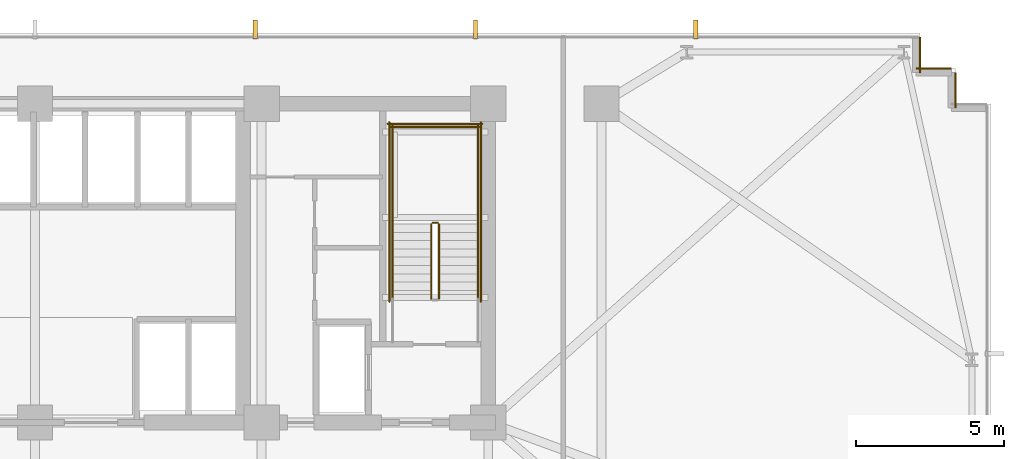
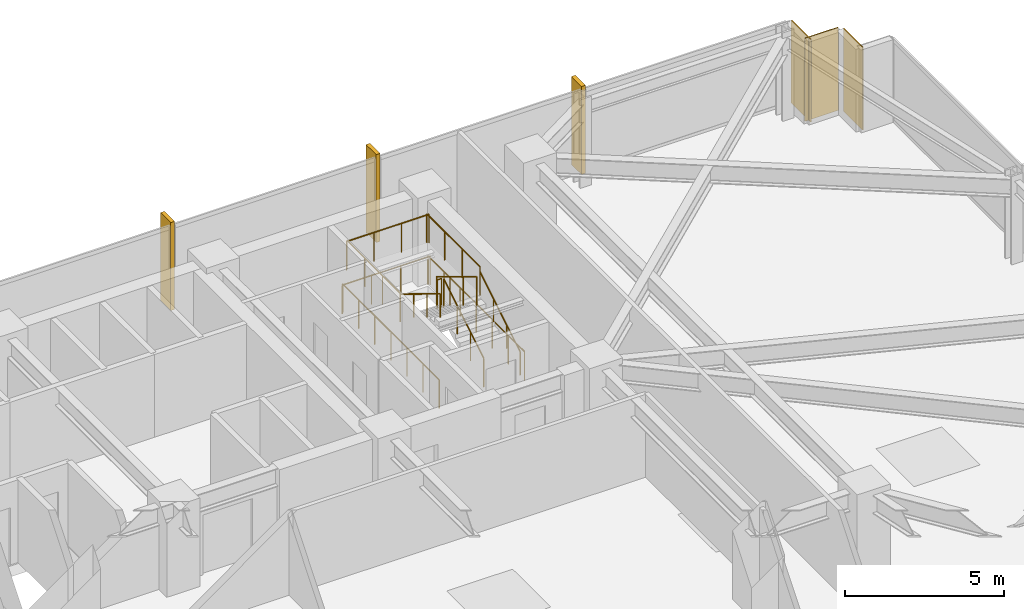
# One storey, part 30 of 31: 11 railings, 3 coverings, 3 shading devices.
"""IFC4 building model written with IfcOpenShell, lengths in metres."""

import ifcopenshell
import ifcopenshell.guid

model = None  # the IFC model being written
_history = None  # IfcOwnerHistory: only IFC2X3 demands one
_inside = {}  # id of a spatial element -> (the spatial element, [elements in it])
_under = {}  # id of a project, library or spatial element -> (it, [spatial elements below it])
_declared = {}  # id of a project -> (the project, [libraries it declares])
_typed = {}  # id of a type object -> (the type object, [elements of that type])
_made_of = {}  # id of a material, layer set ... -> (it, [elements and type objects made of it])


def new_model(schema):
    """Start an empty IFC model of exactly this schema.

    Asked for "IFC4X3", IfcOpenShell would pick the latest addendum, in which some entities
    have other attributes; the version numbers below select the first issue.
    IFC2X3 requires an IfcOwnerHistory on every rooted entity: one is made here for all.
    """
    global model, _history
    if schema == "IFC4X3":
        model = ifcopenshell.file(schema_version=(4, 3, 0, 0))
    else:
        model = ifcopenshell.file(schema=schema)
    _inside.clear()
    _under.clear()
    _declared.clear()
    _typed.clear()
    _made_of.clear()
    _history = None
    if model.schema == "IFC2X3":
        org = make("IfcOrganization", Name="unknown")
        user = make(
            "IfcPersonAndOrganization",
            ThePerson=make("IfcPerson", FamilyName="unknown"),
            TheOrganization=org,
        )
        app = make(
            "IfcApplication",
            ApplicationDeveloper=org,
            Version="unknown",
            ApplicationFullName="unknown",
            ApplicationIdentifier="unknown",
        )
        _history = make(
            "IfcOwnerHistory",
            OwningUser=user,
            OwningApplication=app,
            ChangeAction="ADDED",
            CreationDate=0,
        )
    return model


def make(cls, **values):
    """One entity of the class cls with the attributes given. An attribute that is None is left unset."""
    return model.create_entity(
        cls, **{name: value for name, value in values.items() if value is not None}
    )


def rooted(cls, **values):
    """An entity with a GlobalId (a new one), such as an element, a storey or a relation."""
    return make(cls, GlobalId=ifcopenshell.guid.new(), OwnerHistory=_history, **values)


def si_unit(unit_type, name, prefix=None):
    """IfcSIUnit, for example si_unit("LENGTHUNIT", "METRE", prefix="MILLI")."""
    return make("IfcSIUnit", UnitType=unit_type, Prefix=prefix, Name=name)


def assignment(units):
    """IfcUnitAssignment: the units of a project."""
    return None if units is None else make("IfcUnitAssignment", Units=units)


def point(xyz):
    """IfcCartesianPoint."""
    return None if xyz is None else make("IfcCartesianPoint", Coordinates=xyz)


def direction(xyz):
    """IfcDirection."""
    return None if xyz is None else make("IfcDirection", DirectionRatios=xyz)


def frame(location, z_axis=None, x_axis=None):
    """IfcAxis2Placement3D, a coordinate frame: its origin and axes. An axis left out is left unset."""
    return make(
        "IfcAxis2Placement3D",
        Location=point(location),
        Axis=direction(z_axis),
        RefDirection=direction(x_axis),
    )


def frame_2d(location, x_axis=None):
    """IfcAxis2Placement2D, a coordinate frame in the plane: its origin and x axis."""
    return make(
        "IfcAxis2Placement2D", Location=point(location), RefDirection=direction(x_axis)
    )


def origin():
    """The frame at (0, 0, 0) with its axes left unset."""
    return frame((0.0, 0.0, 0.0))


def origin_2d():
    """The frame at (0, 0) in the plane with its x axis left unset."""
    return frame_2d((0.0, 0.0))


def place(relative_to, where):
    """IfcLocalPlacement: puts the frame where relative to a parent placement (None: the world)."""
    return make(
        "IfcLocalPlacement", PlacementRelTo=relative_to, RelativePlacement=where
    )


def context(
    kind, dimensions, precision=None, world=None, true_north=None, identifier=None
):
    """IfcGeometricRepresentationContext, for example the 3D "Model" context."""
    return make(
        "IfcGeometricRepresentationContext",
        ContextIdentifier=identifier,
        ContextType=kind,
        CoordinateSpaceDimension=dimensions,
        Precision=precision,
        WorldCoordinateSystem=world,
        TrueNorth=true_north,
    )


def subcontext(parent, identifier, kind, view, scale=None):
    """IfcGeometricRepresentationSubContext, for example "Body" below "Model"."""
    return make(
        "IfcGeometricRepresentationSubContext",
        ContextIdentifier=identifier,
        ContextType=kind,
        ParentContext=parent,
        TargetScale=scale,
        TargetView=view,
    )


def project(units=None, contexts=None):
    """IfcProject with its units and contexts."""
    return rooted(
        "IfcProject",
        Name="project",
        RepresentationContexts=contexts,
        UnitsInContext=assignment(units),
    )


def spatial(cls, under=None, at=None, **own):
    """A site, building, storey or space (cls), placed at a placement, below another one or the project."""
    s = rooted(cls, ObjectPlacement=at, **own)
    if under is not None:
        _under.setdefault(under.id(), (under, []))[1].append(s)
    return s


def profile(cls, at=None, kind="AREA", **sizes):
    """A parametric profile (cls). Its sizes go by their IFC names, for example OverallWidth=200.0."""
    return make(cls, ProfileType=kind, Position=at, **sizes)


def rectangle(**sizes):
    """IfcRectangleProfileDef."""
    return profile("IfcRectangleProfileDef", **sizes)


def circle(**sizes):
    """IfcCircleProfileDef."""
    return profile("IfcCircleProfileDef", **sizes)


def extrude(swept, where, along, depth):
    """IfcExtrudedAreaSolid: the profile swept, set in the frame where, extruded along a direction by depth."""
    return make(
        "IfcExtrudedAreaSolid",
        SweptArea=swept,
        Position=where,
        ExtrudedDirection=direction(along),
        Depth=depth,
    )


def shape(context_of_items, identifier, shape_type, items):
    """IfcShapeRepresentation: the items that make up one representation, for example the "Body"."""
    return make(
        "IfcShapeRepresentation",
        ContextOfItems=context_of_items,
        RepresentationIdentifier=identifier,
        RepresentationType=shape_type,
        Items=items,
    )


def material(Name=None, Category=None):
    """IfcMaterial."""
    return make("IfcMaterial", Name=Name, Category=Category)


def layer(
    of_material, thickness, ventilated=None, Name=None, Category=None, Priority=None
):
    """IfcMaterialLayer: one layer of a wall or slab, of a material (None: an air gap)."""
    return make(
        "IfcMaterialLayer",
        Material=of_material,
        LayerThickness=thickness,
        IsVentilated=ventilated,
        Name=Name,
        Category=Category,
        Priority=Priority,
    )


def layer_set(layers, Name=None):
    """IfcMaterialLayerSet."""
    return make("IfcMaterialLayerSet", MaterialLayers=layers, LayerSetName=Name)


def made_of(thing, what):
    """Note that an element or type object is made of a material, layer set ...; save() writes the relation."""
    if what is not None:
        _made_of.setdefault(what.id(), (what, []))[1].append(thing)
    return thing


def type_object(cls, material=None, **own):
    """A type object (cls), such as IfcWallType, which elements share."""
    return made_of(rooted(cls, **own), material)


def element(
    cls,
    number,
    at=None,
    inside=None,
    cuts=None,
    type_object=None,
    material=None,
    context=None,
    identifier="Body",
    shape_type=None,
    held_by="IfcProductDefinitionShape",
    body=None,
    shapes=None,
    **own,
):
    """One element of the class cls, such as IfcWall. Its Tag is "e" and its number.

    at: its placement. inside: the storey or other place that contains it. cuts: it is an
    opening in that element (IfcRelVoidsElement). A single representation is given by context,
    identifier, shape_type and body (its items); several are given by shapes. held_by: the class
    of the entity that holds the representations. save() writes the other relations.
    """
    e = rooted(cls, Tag="e%d" % number, ObjectPlacement=at, **own)
    if body is not None:
        shapes = [shape(context, identifier, shape_type, body)]
    if shapes is not None:
        e.Representation = make(held_by, Representations=shapes)
    if inside is not None:
        _inside.setdefault(inside.id(), (inside, []))[1].append(e)
    if cuts is not None:
        rooted(
            "IfcRelVoidsElement", RelatingBuildingElement=cuts, RelatedOpeningElement=e
        )
    if type_object is not None:
        _typed.setdefault(type_object.id(), (type_object, []))[1].append(e)
    return made_of(e, material)


def aggregate(whole, parts):
    """IfcRelAggregates: a whole, such as a stair, and the parts it consists of."""
    return rooted("IfcRelAggregates", RelatingObject=whole, RelatedObjects=parts)


def save(model, path):
    """Write the relations noted so far, then the file.

    IfcRelAggregates (storeys below a building ...), IfcRelContainedInSpatialStructure (elements
    in a storey), IfcRelDefinesByType, IfcRelAssociatesMaterial and IfcRelDeclares: one each for
    every whole, place, type object, material and project.
    """
    for whole, parts in _under.values():
        aggregate(whole, parts)
    for where, things in _inside.values():
        rooted(
            "IfcRelContainedInSpatialStructure",
            RelatedElements=things,
            RelatingStructure=where,
        )
    for kind, things in _typed.values():
        rooted("IfcRelDefinesByType", RelatedObjects=things, RelatingType=kind)
    for what, things in _made_of.values():
        rooted("IfcRelAssociatesMaterial", RelatedObjects=things, RelatingMaterial=what)
    for by, libraries in _declared.values():
        rooted("IfcRelDeclares", RelatingContext=by, RelatedDefinitions=libraries)
    model.write(path)


model = new_model("IFC4")

# Units and contexts
model_context = context("Model", 3, precision=1e-05, world=origin(), true_north=direction((0.0, 1.0)))
body_context = subcontext(model_context, "Body", "Model", "MODEL_VIEW")
ifc_project = project(units=[si_unit("LENGTHUNIT", "METRE"), si_unit("AREAUNIT", "SQUARE_METRE"), si_unit("VOLUMEUNIT", "CUBIC_METRE"), si_unit("PLANEANGLEUNIT", "RADIAN"), si_unit("MASSUNIT", "GRAM", prefix="KILO")], contexts=[model_context])

# Site, building, storey
site_placement = place(None, origin())
site = spatial("IfcSite", under=ifc_project, at=site_placement, CompositionType="ELEMENT")
building_placement = place(site_placement, origin())
building = spatial("IfcBuilding", under=site, at=building_placement, Name="Yelkora Congress Tower", CompositionType="ELEMENT")
storey_placement = place(building_placement, frame((0.0, 0.0, 30.39990234375)))
storey = spatial("IfcBuildingStorey", under=building, at=storey_placement, Name="L06", CompositionType="ELEMENT", Elevation=30.39990234375)

# Coverings
ifc_material_1 = material(Name="Anatolian bush-hammered limestone", Category="masonry")
ifc_layer_1 = layer(ifc_material_1, 0.0400390625)
ifc_layer_set_1 = layer_set([ifc_layer_1], Name="Anatolian bush-hammered limestone")
covering_type = type_object("IfcCoveringType", Name="COV-CLAD-SPANDREL-40", PredefinedType="CLADDING", material=ifc_layer_set_1)
for number, where, z_axis, x_axis, name in (
    (1, (68.39501953125, 48.4599609375, 0.0), (0.0, 0.0, 1.0), (0.0, -1.0, 0.0), "L06 Anatolian Limestone Cladding EW-L06-SR11"),
    (2, (68.260009765625, 47.39501953125, 0.0), (0.0, 0.0, 1.0), (1.0, 0.0, 0.0), "L06 Anatolian Limestone Cladding EW-L06-SR12"),
    (3, (69.594970703125, 47.260009765625, 0.0), (0.0, 0.0, 1.0), (0.0, -1.0, 0.0), "L06 Anatolian Limestone Cladding EW-L06-SR13"),
):
    element("IfcCovering", number, at=place(storey_placement, frame(where, z_axis=z_axis, x_axis=x_axis)), inside=storey, type_object=covering_type, Name=name, PredefinedType="CLADDING", context=body_context, shape_type="SweptSolid", body=[
        extrude(rectangle(XDim=1.199951171875, YDim=0.0400390625, at=frame_2d((0.60009765625, 0.0))), origin(), (0.0, 0.0, 1.0), 3.18017578125),
    ])

# Railings
ifc_material_2 = material(Name="Painted galvanised steel stair well guard with vertical infill", Category="steel")
ifc_layer_2 = layer(ifc_material_2, 0.06005859375)
ifc_layer_set_2 = layer_set([ifc_layer_2], Name="Painted galvanised steel stair well guard with vertical infill")
railing_type_1 = type_object("IfcRailingType", Name="RAIL-STAIR-GUARD-1120", PredefinedType="GUARDRAIL", material=ifc_layer_set_2)
railing_1_placement = place(storey_placement, frame((52.090087890625, 39.60009765625, 0.170166015625)))
element("IfcRailing", 4, at=railing_1_placement, inside=storey, type_object=railing_type_1, Name="ST-02 L06 Stair Well Guardrail 1", PredefinedType="GUARDRAIL", context=body_context, shape_type="SweptSolid", body=[
    extrude(circle(Radius=0.02392578125, at=origin_2d()), frame((0.0, 0.0, 1.09619140625), z_axis=(0.0, 0.85478489116, 0.518982456201), x_axis=(-1.0, 0.0, 0.0)), (0.0, 0.0, 1.0), 2.9482421875),
    extrude(circle(Radius=0.02099609375, at=origin_2d()), origin(), (0.0, 0.0, 1.0), 1.072021484375),
    extrude(circle(Radius=0.02099609375, at=origin_2d()), frame((0.0, 0.840087890625, 0.510009765625)), (0.0, 0.0, 1.0), 1.072021484375),
    extrude(circle(Radius=0.02099609375, at=origin_2d()), frame((0.0, 1.679931640625, 1.02001953125)), (0.0, 0.0, 1.0), 1.072021484375),
    extrude(circle(Radius=0.02099609375, at=origin_2d()), frame((0.0, 2.52001953125, 1.530029296875)), (0.0, 0.0, 1.0), 1.072021484375),
])
railing_2_placement = place(storey_placement, frame((52.0400390625, 42.169921875, 1.7001953125)))
element("IfcRailing", 5, at=railing_2_placement, inside=storey, type_object=railing_type_1, Name="ST-02 L06 Stair Well Guardrail 2", PredefinedType="GUARDRAIL", context=body_context, shape_type="SweptSolid", body=[
    extrude(circle(Radius=0.02392578125, at=origin_2d()), frame((0.0, 0.0, 1.09619140625), z_axis=(-1.0, 0.0, 0.0), x_axis=(0.0, -1.0, 0.0)), (0.0, 0.0, 1.0), 0.16015625),
    extrude(circle(Radius=0.02099609375, at=origin_2d()), origin(), (0.0, 0.0, 1.0), 1.072021484375),
    extrude(circle(Radius=0.02099609375, at=origin_2d()), frame((-0.16015625, 0.0, 0.0)), (0.0, 0.0, 1.0), 1.072021484375),
])
for number, where, name in (
    (6, (53.409912109375, 42.1201171875, 1.7001953125), "ST-02 L06 Stair Well Guardrail 3"),
    (7, (50.510009765625, 42.1201171875, 1.7001953125), "ST-02 L06 Stair Well Guardrail 4"),
):
    element("IfcRailing", number, at=place(storey_placement, frame(where)), inside=storey, type_object=railing_type_1, Name=name, PredefinedType="GUARDRAIL", context=body_context, shape_type="SweptSolid", body=[
        extrude(circle(Radius=0.02392578125, at=origin_2d()), frame((0.0, 0.0, 1.09619140625), z_axis=(0.0, 1.0, 0.0), x_axis=(-1.0, 0.0, 0.0)), (0.0, 0.0, 1.0), 3.349853515625),
        extrude(circle(Radius=0.02099609375, at=origin_2d()), origin(), (0.0, 0.0, 1.0), 1.072021484375),
        extrude(circle(Radius=0.02099609375, at=origin_2d()), frame((0.0, 1.11669921875, 0.0)), (0.0, 0.0, 1.0), 1.072021484375),
        extrude(circle(Radius=0.02099609375, at=origin_2d()), frame((0.0, 2.233154296875, 0.0)), (0.0, 0.0, 1.0), 1.072021484375),
        extrude(circle(Radius=0.02099609375, at=origin_2d()), frame((0.0, 3.349853515625, 0.0)), (0.0, 0.0, 1.0), 1.072021484375),
    ])
railing_3_placement = place(storey_placement, frame((53.4599609375, 45.419921875, 1.7001953125)))
element("IfcRailing", 8, at=railing_3_placement, inside=storey, type_object=railing_type_1, Name="ST-02 L06 Stair Well Guardrail 5", PredefinedType="GUARDRAIL", context=body_context, shape_type="SweptSolid", body=[
    extrude(circle(Radius=0.02392578125, at=origin_2d()), frame((0.0, 0.0, 1.09619140625), z_axis=(-1.0, 0.0, 0.0), x_axis=(0.0, -1.0, 0.0)), (0.0, 0.0, 1.0), 3.0),
    extrude(circle(Radius=0.02099609375, at=origin_2d()), origin(), (0.0, 0.0, 1.0), 1.072021484375),
    extrude(circle(Radius=0.02099609375, at=origin_2d()), frame((-1.0, 0.0, 0.0)), (0.0, 0.0, 1.0), 1.072021484375),
    extrude(circle(Radius=0.02099609375, at=origin_2d()), frame((-2.0, 0.0, 0.0)), (0.0, 0.0, 1.0), 1.072021484375),
    extrude(circle(Radius=0.02099609375, at=origin_2d()), frame((-3.0, 0.0, 0.0)), (0.0, 0.0, 1.0), 1.072021484375),
])
railing_4_placement = place(storey_placement, frame((51.830078125, 42.1201171875, 1.8701171875)))
element("IfcRailing", 9, at=railing_4_placement, inside=storey, type_object=railing_type_1, Name="ST-02 L06 Stair Well Guardrail 6", PredefinedType="GUARDRAIL", context=body_context, shape_type="SweptSolid", body=[
    extrude(circle(Radius=0.02392578125, at=origin_2d()), frame((0.0, 0.0, 1.09619140625), z_axis=(0.0, -0.85478489116, 0.518982456201), x_axis=(1.0, 0.0, 0.0)), (0.0, 0.0, 1.0), 2.9482421875),
    extrude(circle(Radius=0.02099609375, at=origin_2d()), origin(), (0.0, 0.0, 1.0), 1.072021484375),
    extrude(circle(Radius=0.02099609375, at=origin_2d()), frame((0.0, -0.840087890625, 0.510009765625)), (0.0, 0.0, 1.0), 1.072021484375),
    extrude(circle(Radius=0.02099609375, at=origin_2d()), frame((0.0, -1.679931640625, 1.02001953125)), (0.0, 0.0, 1.0), 1.072021484375),
    extrude(circle(Radius=0.02099609375, at=origin_2d()), frame((0.0, -2.52001953125, 1.530029296875)), (0.0, 0.0, 1.0), 1.072021484375),
])
for number, where, name in (
    (10, (53.510009765625, 39.5, 0.0), "ST-02 L06 Stair Well Guardrail 10"),
    (11, (50.409912109375, 39.5, 0.0), "ST-02 L06 Stair Well Guardrail 11"),
):
    element("IfcRailing", number, at=place(storey_placement, frame(where)), inside=storey, type_object=railing_type_1, Name=name, PredefinedType="GUARDRAIL", context=body_context, shape_type="SweptSolid", body=[
        extrude(circle(Radius=0.02392578125, at=origin_2d()), frame((0.0, 0.0, 1.09619140625), z_axis=(0.0, 1.0, 0.0), x_axis=(-1.0, 0.0, 0.0)), (0.0, 0.0, 1.0), 6.070068359375),
        extrude(circle(Radius=0.02099609375, at=origin_2d()), origin(), (0.0, 0.0, 1.0), 1.072021484375),
        extrude(circle(Radius=0.02099609375, at=origin_2d()), frame((0.0, 1.01171875, 0.0)), (0.0, 0.0, 1.0), 1.072021484375),
        extrude(circle(Radius=0.02099609375, at=origin_2d()), frame((0.0, 2.0234375, 0.0)), (0.0, 0.0, 1.0), 1.072021484375),
        extrude(circle(Radius=0.02099609375, at=origin_2d()), frame((0.0, 3.03515625, 0.0)), (0.0, 0.0, 1.0), 1.072021484375),
        extrude(circle(Radius=0.02099609375, at=origin_2d()), frame((0.0, 4.046630859375, 0.0)), (0.0, 0.0, 1.0), 1.072021484375),
        extrude(circle(Radius=0.02099609375, at=origin_2d()), frame((0.0, 5.058349609375, 0.0)), (0.0, 0.0, 1.0), 1.072021484375),
        extrude(circle(Radius=0.02099609375, at=origin_2d()), frame((0.0, 6.070068359375, 0.0)), (0.0, 0.0, 1.0), 1.072021484375),
    ])
railing_5_placement = place(storey_placement, frame((53.56005859375, 45.52001953125, 0.0)))
element("IfcRailing", 12, at=railing_5_placement, inside=storey, type_object=railing_type_1, Name="ST-02 L06 Stair Well Guardrail 12", PredefinedType="GUARDRAIL", context=body_context, shape_type="SweptSolid", body=[
    extrude(circle(Radius=0.02392578125, at=origin_2d()), frame((0.0, 0.0, 1.09619140625), z_axis=(-1.0, 0.0, 0.0), x_axis=(0.0, -1.0, 0.0)), (0.0, 0.0, 1.0), 3.199951171875),
    extrude(circle(Radius=0.02099609375, at=origin_2d()), origin(), (0.0, 0.0, 1.0), 1.072021484375),
    extrude(circle(Radius=0.02099609375, at=origin_2d()), frame((-1.066650390625, 0.0, 0.0)), (0.0, 0.0, 1.0), 1.072021484375),
    extrude(circle(Radius=0.02099609375, at=origin_2d()), frame((-2.13330078125, 0.0, 0.0)), (0.0, 0.0, 1.0), 1.072021484375),
    extrude(circle(Radius=0.02099609375, at=origin_2d()), frame((-3.199951171875, 0.0, 0.0)), (0.0, 0.0, 1.0), 1.072021484375),
])
ifc_material_3 = material(Name="Brushed stainless steel tubular handrail", Category="steel")
ifc_layer_3 = layer(ifc_material_3, 0.050048828125)
ifc_layer_set_3 = layer_set([ifc_layer_3], Name="Brushed stainless steel tubular handrail")
railing_type_2 = type_object("IfcRailingType", Name="RAIL-STAIR-HAND-920", PredefinedType="HANDRAIL", material=ifc_layer_set_3)
railing_6_placement = place(storey_placement, frame((53.409912109375, 39.60009765625, 0.170166015625)))
element("IfcRailing", 13, at=railing_6_placement, inside=storey, type_object=railing_type_2, Name="ST-02 L06 Pitch Handrail 1", PredefinedType="HANDRAIL", context=body_context, shape_type="SweptSolid", body=[
    extrude(circle(Radius=0.02392578125, at=origin_2d()), frame((0.0, 0.0, 0.89599609375), z_axis=(0.0, 0.85478489116, 0.518982456201), x_axis=(-1.0, 0.0, 0.0)), (0.0, 0.0, 1.0), 2.9482421875),
    extrude(circle(Radius=0.02099609375, at=origin_2d()), origin(), (0.0, 0.0, 1.0), 0.871826171875),
    extrude(circle(Radius=0.02099609375, at=origin_2d()), frame((0.0, 0.840087890625, 0.510009765625)), (0.0, 0.0, 1.0), 0.871826171875),
    extrude(circle(Radius=0.02099609375, at=origin_2d()), frame((0.0, 1.679931640625, 1.02001953125)), (0.0, 0.0, 1.0), 0.871826171875),
    extrude(circle(Radius=0.02099609375, at=origin_2d()), frame((0.0, 2.52001953125, 1.530029296875)), (0.0, 0.0, 1.0), 0.871826171875),
])
railing_7_placement = place(storey_placement, frame((50.510009765625, 42.1201171875, 1.8701171875)))
element("IfcRailing", 14, at=railing_7_placement, inside=storey, type_object=railing_type_2, Name="ST-02 L06 Pitch Handrail 2", PredefinedType="HANDRAIL", context=body_context, shape_type="SweptSolid", body=[
    extrude(circle(Radius=0.02392578125, at=origin_2d()), frame((0.0, 0.0, 0.89599609375), z_axis=(0.0, -0.85478489116, 0.518982456201), x_axis=(1.0, 0.0, 0.0)), (0.0, 0.0, 1.0), 2.9482421875),
    extrude(circle(Radius=0.02099609375, at=origin_2d()), origin(), (0.0, 0.0, 1.0), 0.871826171875),
    extrude(circle(Radius=0.02099609375, at=origin_2d()), frame((0.0, -0.840087890625, 0.510009765625)), (0.0, 0.0, 1.0), 0.871826171875),
    extrude(circle(Radius=0.02099609375, at=origin_2d()), frame((0.0, -1.679931640625, 1.02001953125)), (0.0, 0.0, 1.0), 0.871826171875),
    extrude(circle(Radius=0.02099609375, at=origin_2d()), frame((0.0, -2.52001953125, 1.530029296875)), (0.0, 0.0, 1.0), 0.871826171875),
])

# Shading devices
ifc_material_4 = material(Name="Champagne anodised aluminium", Category="aluminium")
ifc_layer_4 = layer(ifc_material_4, 3.39990234375)
ifc_layer_set_4 = layer_set([ifc_layer_4], Name="Champagne anodised aluminium")
shading_device_type = type_object("IfcShadingDeviceType", Name="SHD-FIN-ALU-640", PredefinedType="USERDEFINED", material=ifc_layer_set_4)
for number, where, z_axis, x_axis, name in (
    (15, (45.864990234375, 48.719970703125, -0.02978515625), (0.0, 0.0, 1.0), (1.0, 0.0, 0.0), "L06 Vertical Anodised Solar Fin 10-5"),
    (16, (53.330078125, 48.719970703125, -0.02978515625), (0.0, 0.0, 1.0), (1.0, 0.0, 0.0), "L06 Vertical Anodised Solar Fin 10-6"),
    (17, (60.794921875, 48.719970703125, -0.02978515625), (0.0, 0.0, 1.0), (1.0, 0.0, 0.0), "L06 Vertical Anodised Solar Fin 10-7"),
):
    element("IfcShadingDevice", number, at=place(storey_placement, frame(where, z_axis=z_axis, x_axis=x_axis)), inside=storey, type_object=shading_device_type, Name=name, ObjectType="FIN", PredefinedType="USERDEFINED", context=body_context, shape_type="SweptSolid", body=[
        extrude(rectangle(XDim=0.139892578125, YDim=0.639892578125, at=origin_2d()), origin(), (0.0, 0.0, 1.0), 3.3798828125),
    ])

save(model, "model.ifc")
